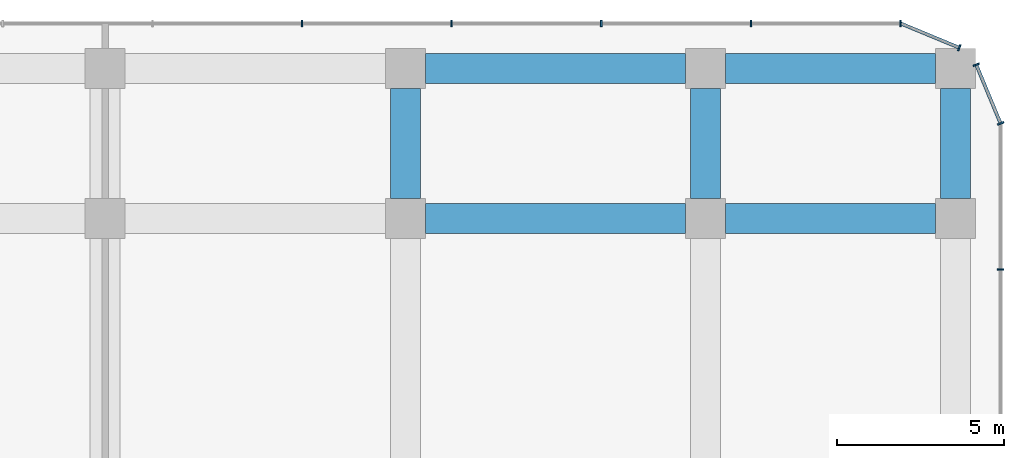
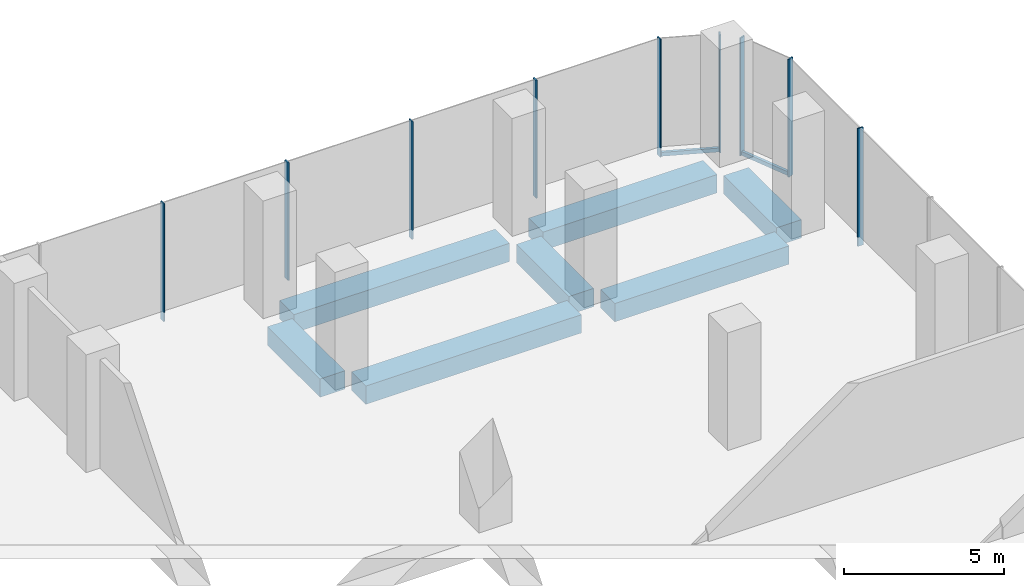
# One storey, part 25 of 43: 11 members, 7 beams, 4 elements without a shape of their own.
"""IFC4 building model written with IfcOpenShell, lengths in metres."""

from ifc_helpers import new_model, si_unit, direction, frame, origin, origin_2d, place, context, subcontext, project, spatial, rectangle, extrude, material, layer, layer_set, material_profile, profile_set, type_object, element, aggregate, save


model = new_model("IFC4")

# Units and contexts
model_context = context("Model", 3, precision=1e-05, world=origin(), true_north=direction((0.0, 1.0)))
body_context = subcontext(model_context, "Body", "Model", "MODEL_VIEW")
ifc_project = project(units=[si_unit("LENGTHUNIT", "METRE"), si_unit("AREAUNIT", "SQUARE_METRE"), si_unit("VOLUMEUNIT", "CUBIC_METRE"), si_unit("PLANEANGLEUNIT", "RADIAN"), si_unit("MASSUNIT", "GRAM", prefix="KILO")], contexts=[model_context])

# Site, building, storey
site_placement = place(None, origin())
site = spatial("IfcSite", under=ifc_project, at=site_placement, CompositionType="ELEMENT")
building_placement = place(site_placement, origin())
building = spatial("IfcBuilding", under=site, at=building_placement, Name="Plateau Cross Towers", CompositionType="ELEMENT")
storey_placement = place(building_placement, frame((0.0, 0.0, 17.300048828125)))
storey = spatial("IfcBuildingStorey", under=building, at=storey_placement, Name="L03", CompositionType="ELEMENT", Elevation=17.300048828125)

# Curtain wall, member
ifc_material_1 = material(Name="Dark low-iron laminated glass", Category="glass")
ifc_layer = layer(ifc_material_1, 0.300048828125)
ifc_layer_set = layer_set([ifc_layer], Name="Dark low-iron laminated glass")
curtain_wall_type = type_object("IfcCurtainWallType", Name="Curtain wall structural silicone CW-C", PredefinedType="NOTDEFINED", material=ifc_layer_set)
curtain_wall_1_placement = place(storey_placement, origin())
curtain_wall_1 = element("IfcCurtainWall", 1, at=curtain_wall_1_placement, inside=storey, type_object=curtain_wall_type, Name="ENV/P/L03/P1078_-88", PredefinedType="NOTDEFINED")
ifc_material_2 = material(Name="Black anodised aluminium", Category="aluminium")
ifc_material_profile_1 = material_profile(ifc_material_2, rectangle(XDim=0.050048828125, YDim=0.199951171875, at=origin_2d()), Name="MULLION 50x200")
ifc_profile_set_1 = profile_set([ifc_material_profile_1], Name="Black anodised aluminium")
member_type_1 = type_object("IfcMemberType", Name="Mullion 50x200 structural silicone", PredefinedType="MULLION", material=ifc_profile_set_1)
member_1_placement = place(storey_placement, frame((107.85009765625, 52.469970703125, -0.35009765625), z_axis=(0.0, 0.0, 1.0), x_axis=(0.0, 1.0, 0.0)))
member_1 = element("IfcMember", 2, at=member_1_placement, type_object=member_type_1, Name="CW-C mullion 15", PredefinedType="MULLION", context=body_context, shape_type="SweptSolid", body=[
    extrude(rectangle(XDim=0.050048828125, YDim=0.199951171875, at=origin_2d()), origin(), (0.0, 0.0, 1.0), 4.5),
])
aggregate(curtain_wall_1, [member_1])

# Curtain wall, members
curtain_wall_2_placement = place(storey_placement, origin())
curtain_wall_2 = element("IfcCurtainWall", 3, at=curtain_wall_2_placement, inside=storey, type_object=curtain_wall_type, Name="ENV/P/L03/P1078_568", PredefinedType="NOTDEFINED")
member_2_placement = place(storey_placement, frame((107.85009765625, 56.85009765625, -0.35009765625), z_axis=(0.0, 0.0, 1.0), x_axis=(-0.382683612978, 0.923879457699, 0.0)))
member_2 = element("IfcMember", 4, at=member_2_placement, type_object=member_type_1, Name="CW-C mullion 1", PredefinedType="MULLION", context=body_context, shape_type="SweptSolid", body=[
    extrude(rectangle(XDim=0.050048828125, YDim=0.199951171875, at=origin_2d()), origin(), (0.0, 0.0, 1.0), 4.5),
])
member_3_placement = place(storey_placement, frame((107.1201171875, 58.6123046875, -0.35009765625), z_axis=(0.0, 0.0, 1.0), x_axis=(-0.382683612978, 0.923879457699, 0.0)))
member_3 = element("IfcMember", 5, at=member_3_placement, type_object=member_type_1, Name="CW-C mullion 2", PredefinedType="MULLION", context=body_context, shape_type="SweptSolid", body=[
    extrude(rectangle(XDim=0.050048828125, YDim=0.199951171875, at=origin_2d()), origin(), (0.0, 0.0, 1.0), 4.5),
])

# Curtain wall, member
curtain_wall_3_placement = place(storey_placement, origin())
curtain_wall_3 = element("IfcCurtainWall", 6, at=curtain_wall_3_placement, inside=storey, type_object=curtain_wall_type, Name="ENV/P/L03/P1066_591", PredefinedType="NOTDEFINED")
member_4_placement = place(storey_placement, frame((106.6123046875, 59.1201171875, -0.35009765625), z_axis=(0.0, 0.0, 1.0), x_axis=(-0.923879457699, 0.382683612978, 0.0)))
member_4 = element("IfcMember", 7, at=member_4_placement, type_object=member_type_1, Name="CW-C mullion 1", PredefinedType="MULLION", context=body_context, shape_type="SweptSolid", body=[
    extrude(rectangle(XDim=0.050048828125, YDim=0.199951171875, at=origin_2d()), origin(), (0.0, 0.0, 1.0), 4.5),
])

# Curtain wall, members
curtain_wall_4_placement = place(storey_placement, origin())
curtain_wall_4 = element("IfcCurtainWall", 8, at=curtain_wall_4_placement, inside=storey, type_object=curtain_wall_type, Name="ENV/P/L03/P1048_598", PredefinedType="NOTDEFINED")
member_5_placement = place(storey_placement, frame((104.85009765625, 59.85009765625, -0.35009765625), z_axis=(0.0, 0.0, 1.0), x_axis=(-1.0, 0.0, 0.0)))
member_5 = element("IfcMember", 9, at=member_5_placement, type_object=member_type_1, Name="CW-C mullion 1", PredefinedType="MULLION", context=body_context, shape_type="SweptSolid", body=[
    extrude(rectangle(XDim=0.050048828125, YDim=0.199951171875, at=origin_2d()), origin(), (0.0, 0.0, 1.0), 4.5),
])
member_6_placement = place(storey_placement, frame((100.362548828125, 59.85009765625, -0.35009765625), z_axis=(0.0, 0.0, 1.0), x_axis=(-1.0, 0.0, 0.0)))
member_6 = element("IfcMember", 10, at=member_6_placement, type_object=member_type_1, Name="CW-C mullion 2", PredefinedType="MULLION", context=body_context, shape_type="SweptSolid", body=[
    extrude(rectangle(XDim=0.050048828125, YDim=0.199951171875, at=origin_2d()), origin(), (0.0, 0.0, 1.0), 4.5),
])
member_7_placement = place(storey_placement, frame((95.875, 59.85009765625, -0.35009765625), z_axis=(0.0, 0.0, 1.0), x_axis=(-1.0, 0.0, 0.0)))
member_7 = element("IfcMember", 11, at=member_7_placement, type_object=member_type_1, Name="CW-C mullion 3", PredefinedType="MULLION", context=body_context, shape_type="SweptSolid", body=[
    extrude(rectangle(XDim=0.050048828125, YDim=0.199951171875, at=origin_2d()), origin(), (0.0, 0.0, 1.0), 4.5),
])
member_8_placement = place(storey_placement, frame((91.387451171875, 59.85009765625, -0.35009765625), z_axis=(0.0, 0.0, 1.0), x_axis=(-1.0, 0.0, 0.0)))
member_8 = element("IfcMember", 12, at=member_8_placement, type_object=member_type_1, Name="CW-C mullion 4", PredefinedType="MULLION", context=body_context, shape_type="SweptSolid", body=[
    extrude(rectangle(XDim=0.050048828125, YDim=0.199951171875, at=origin_2d()), origin(), (0.0, 0.0, 1.0), 4.5),
])
member_9_placement = place(storey_placement, frame((86.89990234375, 59.85009765625, -0.35009765625), z_axis=(0.0, 0.0, 1.0), x_axis=(-1.0, 0.0, 0.0)))
member_9 = element("IfcMember", 13, at=member_9_placement, type_object=member_type_1, Name="CW-C mullion 5", PredefinedType="MULLION", context=body_context, shape_type="SweptSolid", body=[
    extrude(rectangle(XDim=0.050048828125, YDim=0.199951171875, at=origin_2d()), origin(), (0.0, 0.0, 1.0), 4.5),
])
aggregate(curtain_wall_4, [member_5, member_6, member_7, member_8, member_9])

# Beams
ifc_material_3 = material(Name="Concrete C50/60", Category="concrete")
ifc_material_profile_2 = material_profile(ifc_material_3, rectangle(XDim=0.89990234375, YDim=0.699951171875, at=origin_2d()), Name="RC 900x700")
ifc_profile_set_2 = profile_set([ifc_material_profile_2], Name="Concrete C50/60")
beam_type = type_object("IfcBeamType", Name="Podium band beam RC 900x700", PredefinedType="BEAM", material=ifc_profile_set_2)
beam_1_placement = place(storey_placement, frame((90.60009765625, 54.0, -0.699951171875), z_axis=(1.0, 0.0, 0.0), x_axis=(0.0, 1.0, 0.0)))
element("IfcBeam", 14, at=beam_1_placement, inside=storey, type_object=beam_type, Name="PB78@L03", PredefinedType="BEAM", context=body_context, shape_type="SweptSolid", body=[
    extrude(rectangle(XDim=0.89990234375, YDim=0.699951171875, at=origin_2d()), origin(), (0.0, 0.0, 1.0), 7.7998046875),
])
beam_2_placement = place(storey_placement, frame((99.60009765625, 54.0, -0.699951171875), z_axis=(1.0, 0.0, 0.0), x_axis=(0.0, 1.0, 0.0)))
element("IfcBeam", 15, at=beam_2_placement, inside=storey, type_object=beam_type, Name="PB79@L03", PredefinedType="BEAM", context=body_context, shape_type="SweptSolid", body=[
    extrude(rectangle(XDim=0.89990234375, YDim=0.699951171875, at=origin_2d()), origin(), (0.0, 0.0, 1.0), 6.2998046875),
])
beam_3_placement = place(storey_placement, frame((90.60009765625, 58.5, -0.699951171875), z_axis=(1.0, 0.0, 0.0), x_axis=(0.0, 1.0, 0.0)))
element("IfcBeam", 16, at=beam_3_placement, inside=storey, type_object=beam_type, Name="PB91@L03", PredefinedType="BEAM", context=body_context, shape_type="SweptSolid", body=[
    extrude(rectangle(XDim=0.89990234375, YDim=0.699951171875, at=origin_2d()), origin(), (0.0, 0.0, 1.0), 7.7998046875),
])
beam_4_placement = place(storey_placement, frame((99.60009765625, 58.5, -0.699951171875), z_axis=(1.0, 0.0, 0.0), x_axis=(0.0, 1.0, 0.0)))
element("IfcBeam", 17, at=beam_4_placement, inside=storey, type_object=beam_type, Name="PB92@L03", PredefinedType="BEAM", context=body_context, shape_type="SweptSolid", body=[
    extrude(rectangle(XDim=0.89990234375, YDim=0.699951171875, at=origin_2d()), origin(), (0.0, 0.0, 1.0), 6.2998046875),
])
for number, where, z_axis, x_axis, name in (
    (18, (90.0, 54.60009765625, -0.699951171875), (0.0, 1.0, 0.0), (-1.0, 0.0, 0.0), "PB168@L03"),
    (19, (99.0, 54.60009765625, -0.699951171875), (0.0, 1.0, 0.0), (-1.0, 0.0, 0.0), "PB172@L03"),
    (20, (106.5, 54.60009765625, -0.699951171875), (0.0, 1.0, 0.0), (-1.0, 0.0, 0.0), "PB181@L03"),
):
    element("IfcBeam", number, at=place(storey_placement, frame(where, z_axis=z_axis, x_axis=x_axis)), inside=storey, type_object=beam_type, Name=name, PredefinedType="BEAM", context=body_context, shape_type="SweptSolid", body=[
        extrude(rectangle(XDim=0.89990234375, YDim=0.699951171875, at=origin_2d()), origin(), (0.0, 0.0, 1.0), 3.2998046875),
    ])

# Member
ifc_material_profile_3 = material_profile(ifc_material_2, rectangle(XDim=0.10009765625, YDim=0.14990234375, at=origin_2d()), Name="TRANSOM 100x150")
ifc_profile_set_3 = profile_set([ifc_material_profile_3], Name="Black anodised aluminium")
member_type_2 = type_object("IfcMemberType", Name="Transom 100x150 structural silicone", PredefinedType="USERDEFINED", material=ifc_profile_set_3)
member_10_placement = place(storey_placement, frame((107.85009765625, 56.85009765625, -0.275146484375), z_axis=(-0.38270599329, 0.923870187147, 0.0), x_axis=(-0.923870187147, -0.38270599329, 0.0)))
member_10 = element("IfcMember", 21, at=member_10_placement, type_object=member_type_2, Name="CW-C transom", ObjectType="TRANSOM", PredefinedType="USERDEFINED", context=body_context, shape_type="SweptSolid", body=[
    extrude(rectangle(XDim=0.10009765625, YDim=0.14990234375, at=origin_2d()), origin(), (0.0, 0.0, 1.0), 1.907470703125),
])

aggregate(curtain_wall_2, [member_2, member_3, member_10])

member_11_placement = place(storey_placement, frame((106.6123046875, 59.1201171875, -0.275146484375), z_axis=(-0.923870187147, 0.38270599329, 0.0), x_axis=(-0.38270599329, -0.923870187147, 0.0)))
member_11 = element("IfcMember", 22, at=member_11_placement, type_object=member_type_2, Name="CW-C transom", ObjectType="TRANSOM", PredefinedType="USERDEFINED", context=body_context, shape_type="SweptSolid", body=[
    extrude(rectangle(XDim=0.10009765625, YDim=0.14990234375, at=origin_2d()), origin(), (0.0, 0.0, 1.0), 1.907470703125),
])

aggregate(curtain_wall_3, [member_4, member_11])

save(model, "model.ifc")
